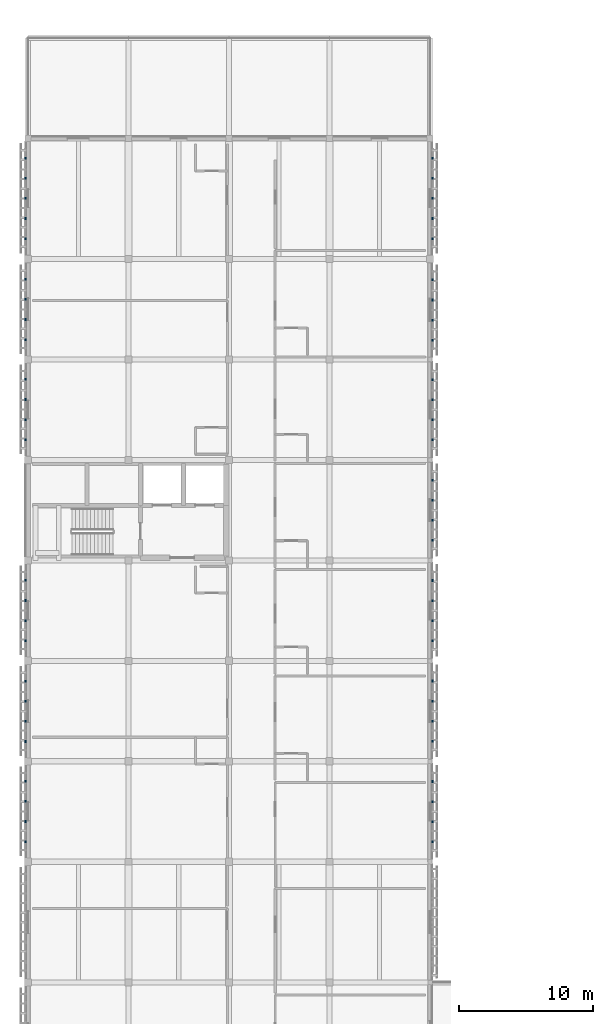
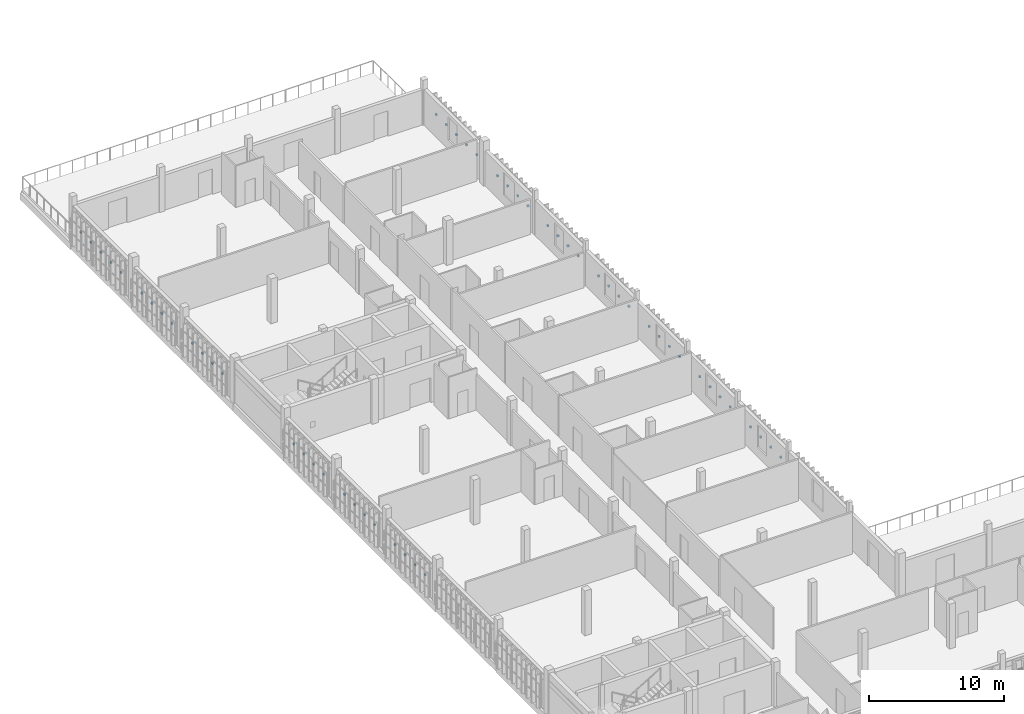
# One storey, part 12 of 17: 54 discrete accessories.
"""IFC4 building model written with IfcOpenShell, lengths in metres."""

from ifc_helpers import new_model, si_unit, direction, frame, origin, origin_2d, place, context, subcontext, project, spatial, rectangle, extrude, material, type_object, element, save


model = new_model("IFC4")

# Units and contexts
model_context = context("Model", 3, precision=1e-05, world=origin(), true_north=direction((0.0, 1.0)))
body_context = subcontext(model_context, "Body", "Model", "MODEL_VIEW")
ifc_project = project(units=[si_unit("LENGTHUNIT", "METRE"), si_unit("AREAUNIT", "SQUARE_METRE"), si_unit("VOLUMEUNIT", "CUBIC_METRE"), si_unit("PLANEANGLEUNIT", "RADIAN"), si_unit("MASSUNIT", "GRAM", prefix="KILO")], contexts=[model_context])

# Site, building, storey
site_placement = place(None, origin())
site = spatial("IfcSite", under=ifc_project, at=site_placement, CompositionType="ELEMENT")
building_placement = place(site_placement, origin())
building = spatial("IfcBuilding", under=site, at=building_placement, Name="Dalvernix Boulevard General Hospital", CompositionType="ELEMENT")
storey_placement = place(building_placement, frame((0.0, 0.0, 25.949951171875)))
storey = spatial("IfcBuildingStorey", under=building, at=storey_placement, Name="L06", CompositionType="ELEMENT", Elevation=25.949951171875)

# Discrete accessories
ifc_material = material(Name="Stainless steel 1.4404 fixing bracket", Category="steel")
discrete_accessory_type = type_object("IfcDiscreteAccessoryType", Name="ACC-BRK-01", PredefinedType="BRACKET", material=ifc_material)
for number, where, z_axis, x_axis, name in (
    (1, (-0.18994140625, 33.012451171875, 1.5048828125), (0.0, 0.0, 1.0), (0.0, 1.0, 0.0), "L06 screen support bracket 1"),
    (2, (-0.18994140625, 34.512451171875, 1.5048828125), (0.0, 0.0, 1.0), (0.0, 1.0, 0.0), "L06 screen support bracket 2"),
    (3, (-0.18994140625, 36.012451171875, 1.5048828125), (0.0, 0.0, 1.0), (0.0, 1.0, 0.0), "L06 screen support bracket 3"),
    (4, (-0.18994140625, 37.512451171875, 1.5048828125), (0.0, 0.0, 1.0), (0.0, 1.0, 0.0), "L06 screen support bracket 4"),
    (5, (-0.18994140625, 40.487548828125, 1.5048828125), (0.0, 0.0, 1.0), (0.0, 1.0, 0.0), "L06 screen support bracket 1"),
    (6, (-0.18994140625, 41.987548828125, 1.5048828125), (0.0, 0.0, 1.0), (0.0, 1.0, 0.0), "L06 screen support bracket 2"),
    (7, (-0.18994140625, 43.487548828125, 1.5048828125), (0.0, 0.0, 1.0), (0.0, 1.0, 0.0), "L06 screen support bracket 3"),
    (8, (-0.18994140625, 44.987548828125, 1.5048828125), (0.0, 0.0, 1.0), (0.0, 1.0, 0.0), "L06 screen support bracket 4"),
    (9, (-0.18994140625, 48.012451171875, 1.5048828125), (0.0, 0.0, 1.0), (0.0, 1.0, 0.0), "L06 screen support bracket 1"),
    (10, (-0.18994140625, 49.512451171875, 1.5048828125), (0.0, 0.0, 1.0), (0.0, 1.0, 0.0), "L06 screen support bracket 2"),
    (11, (-0.18994140625, 51.012451171875, 1.5048828125), (0.0, 0.0, 1.0), (0.0, 1.0, 0.0), "L06 screen support bracket 3"),
    (12, (-0.18994140625, 52.512451171875, 1.5048828125), (0.0, 0.0, 1.0), (0.0, 1.0, 0.0), "L06 screen support bracket 4"),
    (13, (-0.18994140625, 63.012451171875, 1.5048828125), (0.0, 0.0, 1.0), (0.0, 1.0, 0.0), "L06 screen support bracket 1"),
    (14, (-0.18994140625, 64.512451171875, 1.5048828125), (0.0, 0.0, 1.0), (0.0, 1.0, 0.0), "L06 screen support bracket 2"),
    (15, (-0.18994140625, 66.012451171875, 1.5048828125), (0.0, 0.0, 1.0), (0.0, 1.0, 0.0), "L06 screen support bracket 3"),
    (16, (-0.18994140625, 67.512451171875, 1.5048828125), (0.0, 0.0, 1.0), (0.0, 1.0, 0.0), "L06 screen support bracket 4"),
    (17, (-0.18994140625, 70.487548828125, 1.5048828125), (0.0, 0.0, 1.0), (0.0, 1.0, 0.0), "L06 screen support bracket 1"),
    (18, (-0.18994140625, 71.987548828125, 1.5048828125), (0.0, 0.0, 1.0), (0.0, 1.0, 0.0), "L06 screen support bracket 2"),
    (19, (-0.18994140625, 73.487548828125, 1.5048828125), (0.0, 0.0, 1.0), (0.0, 1.0, 0.0), "L06 screen support bracket 3"),
    (20, (-0.18994140625, 74.987548828125, 1.5048828125), (0.0, 0.0, 1.0), (0.0, 1.0, 0.0), "L06 screen support bracket 4"),
    (21, (-0.18994140625, 78.02490234375, 1.5302734375), (0.0, 0.0, 1.0), (0.0, 1.0, 0.0), "L06 screen support bracket 1"),
    (22, (-0.18994140625, 79.52490234375, 1.5302734375), (0.0, 0.0, 1.0), (0.0, 1.0, 0.0), "L06 screen support bracket 2"),
    (23, (-0.18994140625, 81.02490234375, 1.5302734375), (0.0, 0.0, 1.0), (0.0, 1.0, 0.0), "L06 screen support bracket 3"),
    (24, (-0.18994140625, 82.52490234375, 1.5302734375), (0.0, 0.0, 1.0), (0.0, 1.0, 0.0), "L06 screen support bracket 4"),
    (25, (-0.18994140625, 84.02490234375, 1.5302734375), (0.0, 0.0, 1.0), (0.0, 1.0, 0.0), "L06 screen support bracket 5"),
    (26, (30.18994140625, 37.5, 1.5048828125), (0.0, 0.0, 1.0), (0.0, -1.0, 0.0), "L06 screen support bracket 1"),
    (27, (30.18994140625, 36.0, 1.5048828125), (0.0, 0.0, 1.0), (0.0, -1.0, 0.0), "L06 screen support bracket 2"),
    (28, (30.18994140625, 34.5, 1.5048828125), (0.0, 0.0, 1.0), (0.0, -1.0, 0.0), "L06 screen support bracket 3"),
    (29, (30.18994140625, 33.0, 1.5048828125), (0.0, 0.0, 1.0), (0.0, -1.0, 0.0), "L06 screen support bracket 4"),
    (30, (30.18994140625, 45.0, 1.5048828125), (0.0, 0.0, 1.0), (0.0, -1.0, 0.0), "L06 screen support bracket 1"),
    (31, (30.18994140625, 43.5, 1.5048828125), (0.0, 0.0, 1.0), (0.0, -1.0, 0.0), "L06 screen support bracket 2"),
    (32, (30.18994140625, 42.0, 1.5048828125), (0.0, 0.0, 1.0), (0.0, -1.0, 0.0), "L06 screen support bracket 3"),
    (33, (30.18994140625, 40.5, 1.5048828125), (0.0, 0.0, 1.0), (0.0, -1.0, 0.0), "L06 screen support bracket 4"),
    (34, (30.18994140625, 52.5, 1.5048828125), (0.0, 0.0, 1.0), (0.0, -1.0, 0.0), "L06 screen support bracket 1"),
    (35, (30.18994140625, 51.0, 1.5048828125), (0.0, 0.0, 1.0), (0.0, -1.0, 0.0), "L06 screen support bracket 2"),
    (36, (30.18994140625, 49.5, 1.5048828125), (0.0, 0.0, 1.0), (0.0, -1.0, 0.0), "L06 screen support bracket 3"),
    (37, (30.18994140625, 48.0, 1.5048828125), (0.0, 0.0, 1.0), (0.0, -1.0, 0.0), "L06 screen support bracket 4"),
    (38, (30.18994140625, 60.0, 1.5048828125), (0.0, 0.0, 1.0), (0.0, -1.0, 0.0), "L06 screen support bracket 1"),
    (39, (30.18994140625, 58.5, 1.5048828125), (0.0, 0.0, 1.0), (0.0, -1.0, 0.0), "L06 screen support bracket 2"),
    (40, (30.18994140625, 57.0, 1.5048828125), (0.0, 0.0, 1.0), (0.0, -1.0, 0.0), "L06 screen support bracket 3"),
    (41, (30.18994140625, 55.5, 1.5048828125), (0.0, 0.0, 1.0), (0.0, -1.0, 0.0), "L06 screen support bracket 4"),
    (42, (30.18994140625, 67.5, 1.5048828125), (0.0, 0.0, 1.0), (0.0, -1.0, 0.0), "L06 screen support bracket 1"),
    (43, (30.18994140625, 66.0, 1.5048828125), (0.0, 0.0, 1.0), (0.0, -1.0, 0.0), "L06 screen support bracket 2"),
    (44, (30.18994140625, 64.5, 1.5048828125), (0.0, 0.0, 1.0), (0.0, -1.0, 0.0), "L06 screen support bracket 3"),
    (45, (30.18994140625, 63.0, 1.5048828125), (0.0, 0.0, 1.0), (0.0, -1.0, 0.0), "L06 screen support bracket 4"),
    (46, (30.18994140625, 74.9423828125, 1.5048828125), (0.0, 0.0, 1.0), (0.0, -1.0, 0.0), "L06 screen support bracket 1"),
    (47, (30.18994140625, 73.4423828125, 1.5048828125), (0.0, 0.0, 1.0), (0.0, -1.0, 0.0), "L06 screen support bracket 2"),
    (48, (30.18994140625, 71.9423828125, 1.5048828125), (0.0, 0.0, 1.0), (0.0, -1.0, 0.0), "L06 screen support bracket 3"),
    (49, (30.18994140625, 70.4423828125, 1.5048828125), (0.0, 0.0, 1.0), (0.0, -1.0, 0.0), "L06 screen support bracket 4"),
    (50, (30.18994140625, 84.02490234375, 1.5302734375), (0.0, 0.0, 1.0), (0.0, -1.0, 0.0), "L06 screen support bracket 1"),
    (51, (30.18994140625, 82.52490234375, 1.5302734375), (0.0, 0.0, 1.0), (0.0, -1.0, 0.0), "L06 screen support bracket 2"),
    (52, (30.18994140625, 81.02490234375, 1.5302734375), (0.0, 0.0, 1.0), (0.0, -1.0, 0.0), "L06 screen support bracket 3"),
    (53, (30.18994140625, 79.52490234375, 1.5302734375), (0.0, 0.0, 1.0), (0.0, -1.0, 0.0), "L06 screen support bracket 4"),
    (54, (30.18994140625, 78.02490234375, 1.5302734375), (0.0, 0.0, 1.0), (0.0, -1.0, 0.0), "L06 screen support bracket 5"),
):
    element("IfcDiscreteAccessory", number, at=place(storey_placement, frame(where, z_axis=z_axis, x_axis=x_axis)), inside=storey, type_object=discrete_accessory_type, Name=name, PredefinedType="BRACKET", context=body_context, shape_type="SweptSolid", body=[
        extrude(rectangle(XDim=0.159912109375, YDim=0.139892578125, at=origin_2d()), origin(), (0.0, 0.0, 1.0), 0.159912109375),
    ])

save(model, "model.ifc")
